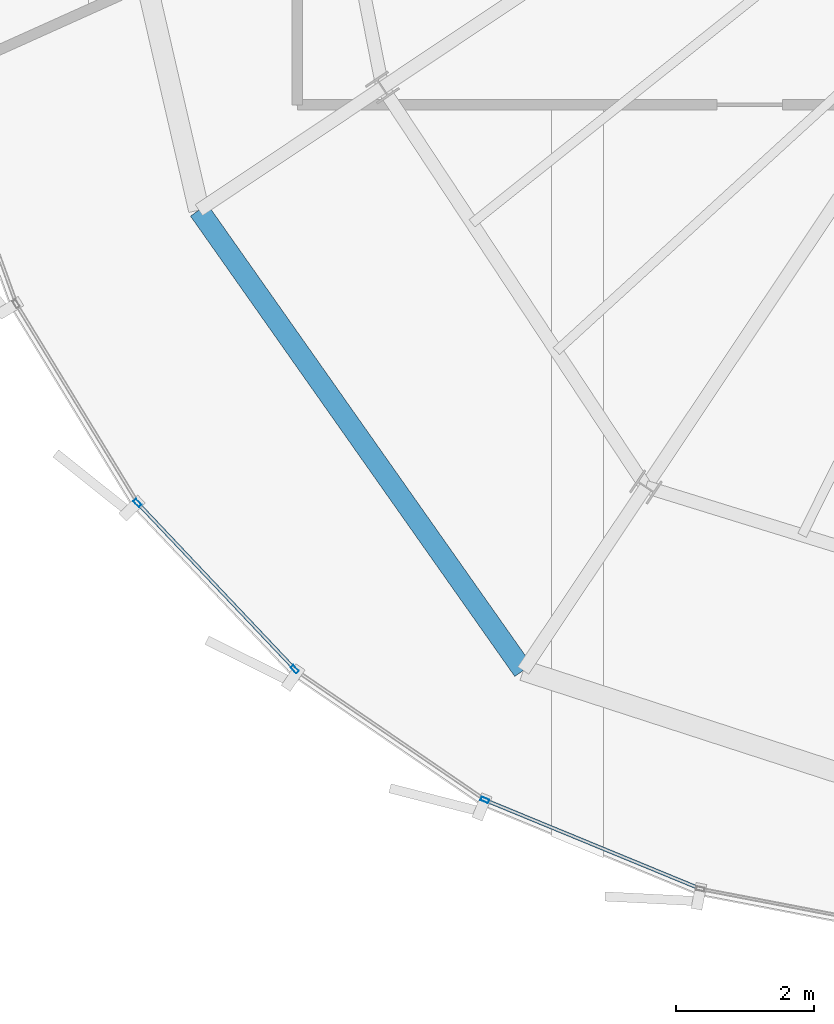
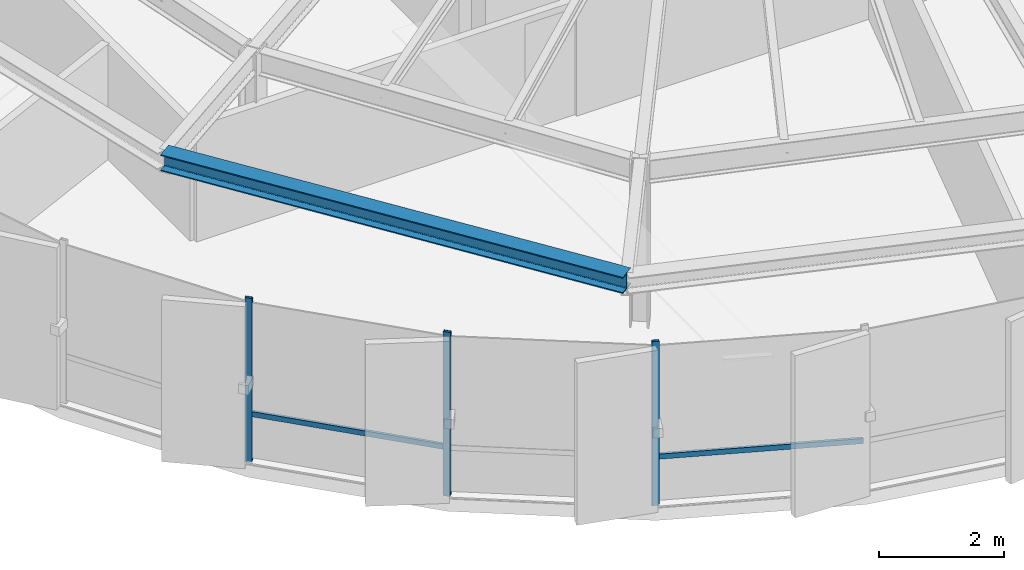
# One storey, part 2 of 33: 5 members, 1 beam, 2 elements without a shape of their own.
"""IFC4 building model written with IfcOpenShell, lengths in metres."""

from ifc_helpers import new_model, si_unit, direction, frame, origin, origin_2d, place, context, subcontext, project, spatial, hollow_rectangle, i_section, extrude, source, transform, mapped, material, layer, layer_set, material_profile, profile_set, type_object, element, aggregate, save


model = new_model("IFC4")

# Units and contexts
model_context = context("Model", 3, precision=1e-05, world=origin(), true_north=direction((0.0, 1.0)))
body_context = subcontext(model_context, "Body", "Model", "MODEL_VIEW")
ifc_project = project(units=[si_unit("LENGTHUNIT", "METRE"), si_unit("AREAUNIT", "SQUARE_METRE"), si_unit("VOLUMEUNIT", "CUBIC_METRE"), si_unit("PLANEANGLEUNIT", "RADIAN"), si_unit("MASSUNIT", "GRAM", prefix="KILO"), si_unit("THERMODYNAMICTEMPERATUREUNIT", "KELVIN")], contexts=[model_context])

# Site, building, storey
site_placement = place(None, origin())
site = spatial("IfcSite", under=ifc_project, at=site_placement, CompositionType="ELEMENT")
building_placement = place(site_placement, origin())
building = spatial("IfcBuilding", under=site, at=building_placement, Name="Kethvar Cultural Tower", CompositionType="ELEMENT")
storey_placement = place(building_placement, frame((0.0, 0.0, 235.300048828125)))
storey = spatial("IfcBuildingStorey", under=building, at=storey_placement, Name="L61", CompositionType="ELEMENT", Elevation=235.300048828125)

# Beam
ifc_material_1 = material(Name="Steel S355J2", Category="steel")
ifc_material_profile_1 = material_profile(ifc_material_1, i_section(OverallWidth=0.300048828125, OverallDepth=0.320068359375, WebThickness=0.011474609375, FlangeThickness=0.0205078125, FilletRadius=0.027099609375, at=origin_2d()), Name="Steel S355J2 — HEB320")
ifc_profile_set_1 = profile_set([ifc_material_profile_1], Name="Steel S355J2 — HEB320")
beam_type = type_object("IfcBeamType", Name="BM-SP320", PredefinedType="SPANDREL", material=ifc_profile_set_1)
shared_shape_1 = source(origin(), body_context, "Body", "SweptSolid", [
    extrude(i_section(OverallWidth=0.300048828125, OverallDepth=0.320068359375, WebThickness=0.011474609375, FlangeThickness=0.0205078125, FilletRadius=0.027099609375, at=origin_2d()), origin(), (0.0, 0.0, 1.0), 8.16259765625),
])
beam_placement = place(storey_placement, frame((30.252197265625, 16.7431640625, 3.0478515625), z_axis=(0.575940812748, -0.817491394579, 0.0), x_axis=(0.817491394579, 0.575940812748, 0.0)))
element("IfcBeam", 1, at=beam_placement, inside=storey, type_object=beam_type, Name="L61 Perimeter Spandrel Beam SP-10", PredefinedType="SPANDREL", context=body_context, shape_type="MappedRepresentation", body=[
    mapped(shared_shape_1, transform((0.0, 0.0, 0.0), scale=1.0)),
])

# Curtain wall, members
ifc_material_2 = material(Name="Aluminium 6063-T6", Category="aluminium")
ifc_layer = layer(ifc_material_2, 0.179931640625, Name="Aluminium 6063-T6", Category="aluminium")
ifc_layer_set = layer_set([ifc_layer], Name="Aluminium 6063-T6 (180 mm)")
curtain_wall_type = type_object("IfcCurtainWallType", Name="CW-SYS-05-Z56", PredefinedType="NOTDEFINED", material=ifc_layer_set)
curtain_wall_1_placement = place(storey_placement, origin())
curtain_wall_1 = element("IfcCurtainWall", 2, at=curtain_wall_1_placement, inside=storey, type_object=curtain_wall_type, Name="L61 Curtain Wall Run 03", PredefinedType="NOTDEFINED")
ifc_material_profile_2 = material_profile(ifc_material_2, hollow_rectangle(XDim=0.054931640625, YDim=0.1201171875, WallThickness=0.00390625, at=origin_2d()), Name="Aluminium 6063-T6 — RHS120x55x4")
ifc_profile_set_2 = profile_set([ifc_material_profile_2], Name="Aluminium 6063-T6 — RHS120x55x4")
member_type_1 = type_object("IfcMemberType", Name="CW-SYS-05-Z56-MUL", PredefinedType="MULLION", material=ifc_profile_set_2)
shared_shape_2 = source(origin(), body_context, "Body", "SweptSolid", [
    extrude(hollow_rectangle(XDim=0.054931640625, YDim=0.1201171875, WallThickness=0.00390625, at=origin_2d()), origin(), (0.0, 0.0, 1.0), 3.2099609375),
])
member_1_placement = place(storey_placement, frame((29.362548828125, 12.499267578125, 0.0), z_axis=(0.0, 0.0, 1.0), x_axis=(0.726478728374, 0.687188953069, 0.0)))
member_1 = element("IfcMember", 3, at=member_1_placement, type_object=member_type_1, Name="CW-L61-R03 Mullion 6", PredefinedType="MULLION", context=body_context, shape_type="MappedRepresentation", body=[
    mapped(shared_shape_2, transform((0.0, 0.0, 0.0), scale=1.0)),
])
member_2_placement = place(storey_placement, frame((31.6416015625, 10.090087890625, 0.0), z_axis=(0.0, 0.0, 1.0), x_axis=(0.726478728374, 0.687188953069, 0.0)))
member_2 = element("IfcMember", 4, at=member_2_placement, type_object=member_type_1, Name="CW-L61-R03 Mullion 7", PredefinedType="MULLION", context=body_context, shape_type="MappedRepresentation", body=[
    mapped(shared_shape_2, transform((0.0, 0.0, 0.0), scale=1.0)),
])

# Curtain wall, member
curtain_wall_2_placement = place(storey_placement, origin())
curtain_wall_2 = element("IfcCurtainWall", 5, at=curtain_wall_2_placement, inside=storey, type_object=curtain_wall_type, Name="L61 Curtain Wall Run 04", PredefinedType="NOTDEFINED")
member_3_placement = place(storey_placement, frame((34.397216796875, 8.193603515625, 0.0), z_axis=(0.0, 0.0, 1.0), x_axis=(0.381086512665, 0.924539382539, 0.0)))
member_3 = element("IfcMember", 6, at=member_3_placement, type_object=member_type_1, Name="CW-L61-R04 Mullion 2", PredefinedType="MULLION", context=body_context, shape_type="MappedRepresentation", body=[
    mapped(shared_shape_2, transform((0.0, 0.0, 0.0), scale=1.0)),
])

# Member
ifc_material_profile_3 = material_profile(ifc_material_2, hollow_rectangle(XDim=0.050048828125, YDim=0.10009765625, WallThickness=0.00390625, at=origin_2d()), Name="Aluminium 6063-T6 — RHS100x50x4")
ifc_profile_set_3 = profile_set([ifc_material_profile_3], Name="Aluminium 6063-T6 — RHS100x50x4")
member_type_2 = type_object("IfcMemberType", Name="CW-SYS-05-Z56-TRN", PredefinedType="USERDEFINED", material=ifc_profile_set_3)
shared_shape_3 = source(origin(), body_context, "Body", "SweptSolid", [
    extrude(hollow_rectangle(XDim=0.050048828125, YDim=0.10009765625, WallThickness=0.00390625, at=origin_2d()), origin(), (0.0, 0.0, 1.0), 3.27294921875),
])
member_4_placement = place(storey_placement, frame((29.389892578125, 12.470703125, 0.949951171875), z_axis=(0.687177509287, -0.726489553077, 0.0), x_axis=(0.726489553077, 0.687177509287, 0.0)))
member_4 = element("IfcMember", 7, at=member_4_placement, type_object=member_type_2, Name="CW-L61-R03 Transom 6", ObjectType="TRANSOM", PredefinedType="USERDEFINED", context=body_context, shape_type="MappedRepresentation", body=[
    mapped(shared_shape_3, transform((0.0, 0.0, 0.0), scale=1.0)),
])

aggregate(curtain_wall_1, [member_1, member_2, member_4])

shared_shape_4 = source(origin(), body_context, "Body", "SweptSolid", [
    extrude(hollow_rectangle(XDim=0.050048828125, YDim=0.10009765625, WallThickness=0.00390625, at=origin_2d()), origin(), (0.0, 0.0, 1.0), 3.321044921875),
])
member_5_placement = place(storey_placement, frame((34.43359375, 8.1787109375, 0.949951171875), z_axis=(0.924531869201, -0.381104739976, 0.0), x_axis=(0.381104739976, 0.924531869201, 0.0)))
member_5 = element("IfcMember", 8, at=member_5_placement, type_object=member_type_2, Name="CW-L61-R04 Transom 2", ObjectType="TRANSOM", PredefinedType="USERDEFINED", context=body_context, shape_type="MappedRepresentation", body=[
    mapped(shared_shape_4, transform((0.0, 0.0, 0.0), scale=1.0)),
])

aggregate(curtain_wall_2, [member_3, member_5])

save(model, "model.ifc")
